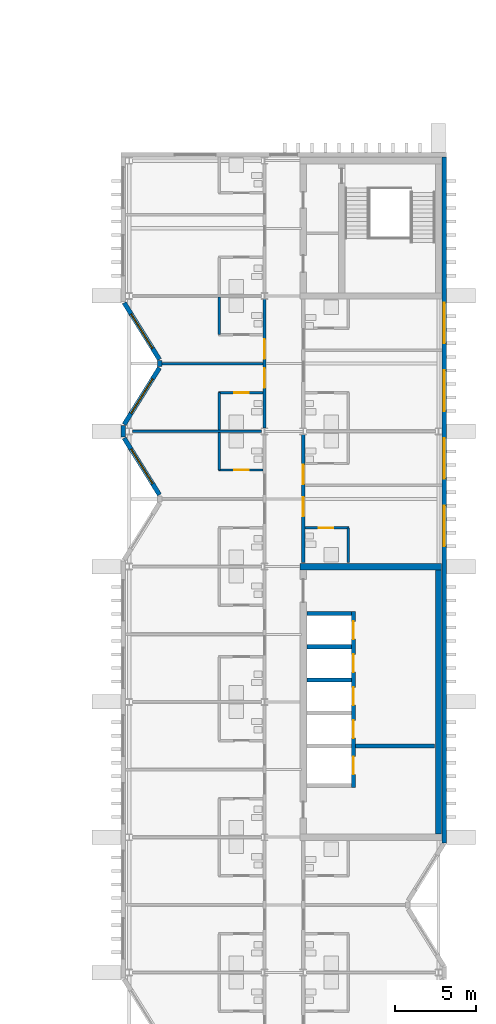
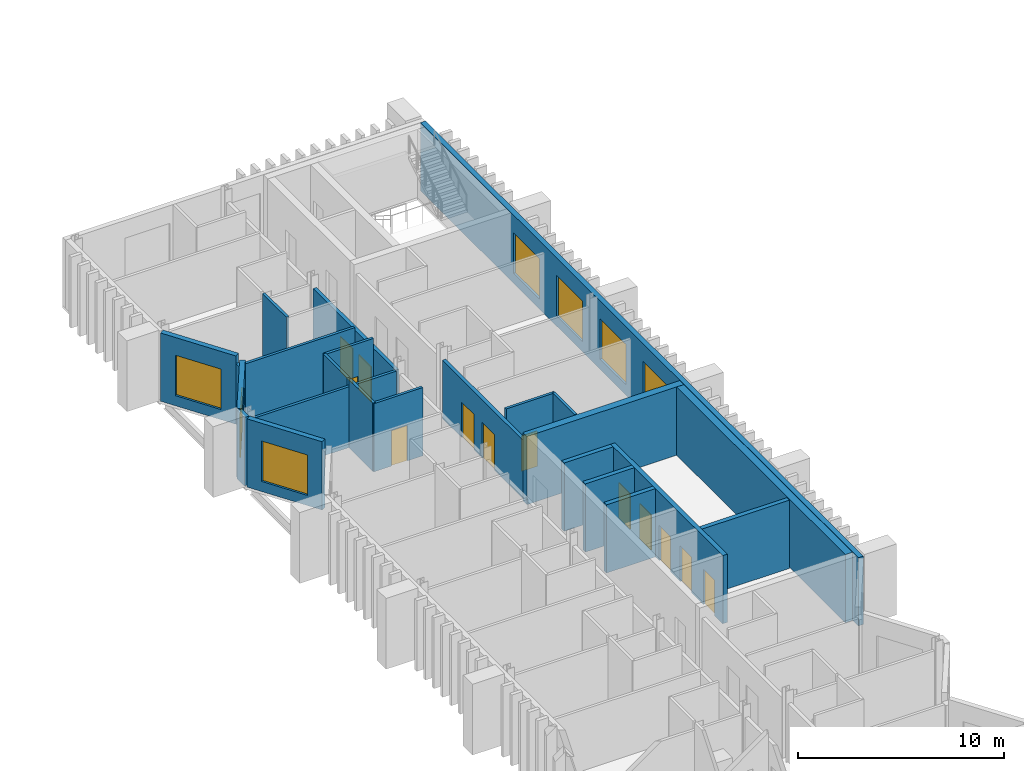
# One storey, part 12 of 17: 24 walls, 12 doors, 7 windows, 19 openings.
"""IFC4 building model written with IfcOpenShell, lengths in metres."""

from ifc_helpers import new_model, si_unit, direction, frame, frame_2d, origin, place, context, subcontext, project, spatial, rectangle, extrude, material, layer, layer_set, type_object, element, fill, save


model = new_model("IFC4")

# Units and contexts
model_context = context("Model", 3, precision=1e-05, world=origin(), true_north=direction((0.0, 1.0)))
body_context = subcontext(model_context, "Body", "Model", "MODEL_VIEW")
ifc_project = project(units=[si_unit("LENGTHUNIT", "METRE"), si_unit("AREAUNIT", "SQUARE_METRE"), si_unit("VOLUMEUNIT", "CUBIC_METRE"), si_unit("PLANEANGLEUNIT", "RADIAN"), si_unit("MASSUNIT", "GRAM", prefix="KILO")], contexts=[model_context])

# Site, building, storey
site_placement = place(None, origin())
site = spatial("IfcSite", under=ifc_project, at=site_placement, CompositionType="ELEMENT")
building_placement = place(site_placement, origin())
building = spatial("IfcBuilding", under=site, at=building_placement, Name="Cresset Court Congress Hotel", CompositionType="ELEMENT")
storey_placement = place(building_placement, frame((0.0, 0.0, 31.199951171875)))
storey = spatial("IfcBuildingStorey", under=building, at=storey_placement, Name="L07", CompositionType="ELEMENT", Elevation=31.199951171875)

# Wall, openings, doors
ifc_material_1 = material(Name="Gypsum board partition")
ifc_layer_1 = layer(ifc_material_1, 0.199951171875)
ifc_layer_set_1 = layer_set([ifc_layer_1], Name="Corridor wall 200")
wall_type_1 = type_object("IfcWallType", Name="Corridor wall 200", PredefinedType="PARTITIONING", material=ifc_layer_set_1)
wall_1_placement = place(storey_placement, frame((165.60009765625, 50.60009765625, 0.0), z_axis=(0.0, 0.0, 1.0), x_axis=(0.0, 1.0, 0.0)))
wall_1 = element("IfcWall", 1, at=wall_1_placement, inside=storey, type_object=wall_type_1, Name="A.wl.L07.076", PredefinedType="PARTITIONING", context=body_context, shape_type="SweptSolid", body=[
    extrude(rectangle(XDim=8.0, YDim=0.199951171875, at=frame_2d((4.0, 0.0))), origin(), (0.0, 0.0, 1.0), 3.449951171875),
])
opening_1_placement = place(wall_1_placement, frame((2.5, 0.0, 0.0)))
opening_1 = element("IfcOpeningElement", 2, at=opening_1_placement, cuts=wall_1, Name="Opening DA-07-26", PredefinedType="OPENING", context=body_context, shape_type="SweptSolid", body=[
    extrude(rectangle(XDim=1.199951171875, YDim=2.10009765625, at=frame_2d((0.60009765625, 1.050048828125))), frame((0.0, 0.10986328125, 0.0), z_axis=(0.0, -1.0, 0.0), x_axis=(1.0, 0.0, 0.0)), (0.0, 0.0, 1.0), 0.219970703125),
])
opening_2_placement = place(wall_1_placement, frame((4.300048828125, 0.0, 0.0)))
opening_2 = element("IfcOpeningElement", 3, at=opening_2_placement, cuts=wall_1, Name="Opening DA-07-28", PredefinedType="OPENING", context=body_context, shape_type="SweptSolid", body=[
    extrude(rectangle(XDim=1.199951171875, YDim=2.10009765625, at=frame_2d((0.60009765625, 1.050048828125))), frame((0.0, 0.10986328125, 0.0), z_axis=(0.0, -1.0, 0.0), x_axis=(1.0, 0.0, 0.0)), (0.0, 0.0, 1.0), 0.219970703125),
])
ifc_material_2 = material(Name="timber", Category="wood")
door_type_1 = type_object("IfcDoorType", Name="Guest-room entry door 1200x2100 FD30S", OperationType="SINGLE_SWING_LEFT", PredefinedType="DOOR", material=ifc_material_2)
door_1_placement = place(opening_1_placement, origin())
door_1 = element("IfcDoor", 4, at=door_1_placement, inside=storey, type_object=door_type_1, Name="Door DA-07-26", OperationType="SINGLE_SWING_RIGHT", OverallHeight=2.10009765625, OverallWidth=1.199951171875, PredefinedType="DOOR", context=body_context, shape_type="SweptSolid", body=[
    extrude(rectangle(XDim=1.199951171875, YDim=2.10009765625, at=frame_2d((0.60009765625, 1.050048828125))), frame((0.0, 0.02490234375, 0.0), z_axis=(0.0, -1.0, 0.0), x_axis=(1.0, 0.0, 0.0)), (0.0, 0.0, 1.0), 0.050048828125),
])
fill(opening_1, door_1)
door_2_placement = place(opening_2_placement, origin())
door_2 = element("IfcDoor", 5, at=door_2_placement, inside=storey, type_object=door_type_1, Name="Door DA-07-28", OperationType="SINGLE_SWING_LEFT", OverallHeight=2.10009765625, OverallWidth=1.199951171875, PredefinedType="DOOR", context=body_context, shape_type="SweptSolid", body=[
    extrude(rectangle(XDim=1.199951171875, YDim=2.10009765625, at=frame_2d((0.60009765625, 1.050048828125))), frame((0.0, 0.02490234375, 0.0), z_axis=(0.0, -1.0, 0.0), x_axis=(1.0, 0.0, 0.0)), (0.0, 0.0, 1.0), 0.050048828125),
])
fill(opening_2, door_2)

wall_2_placement = place(storey_placement, frame((168.0, 42.25, 0.0), z_axis=(0.0, 0.0, 1.0), x_axis=(0.0, 1.0, 0.0)))
wall_2 = element("IfcWall", 6, at=wall_2_placement, inside=storey, type_object=wall_type_1, Name="A.wl.L07.080", PredefinedType="PARTITIONING", context=body_context, shape_type="SweptSolid", body=[
    extrude(rectangle(XDim=7.949951171875, YDim=0.199951171875, at=frame_2d((3.97509765625, 0.0))), origin(), (0.0, 0.0, 1.0), 3.449951171875),
])
opening_3_placement = place(wall_2_placement, frame((2.8701171875, 0.0, 0.0)))
opening_3 = element("IfcOpeningElement", 7, at=opening_3_placement, cuts=wall_2, Name="Opening DA-07-42", PredefinedType="OPENING", context=body_context, shape_type="SweptSolid", body=[
    extrude(rectangle(XDim=1.199951171875, YDim=2.10009765625, at=frame_2d((0.60009765625, 1.050048828125))), frame((0.0, 0.10986328125, 0.0), z_axis=(0.0, -1.0, 0.0), x_axis=(1.0, 0.0, 0.0)), (0.0, 0.0, 1.0), 0.219970703125),
])
opening_4_placement = place(wall_2_placement, frame((4.8701171875, 0.0, 0.0)))
opening_4 = element("IfcOpeningElement", 8, at=opening_4_placement, cuts=wall_2, Name="Opening DA-07-44", PredefinedType="OPENING", context=body_context, shape_type="SweptSolid", body=[
    extrude(rectangle(XDim=1.199951171875, YDim=2.10009765625, at=frame_2d((0.60009765625, 1.050048828125))), frame((0.0, 0.10986328125, 0.0), z_axis=(0.0, -1.0, 0.0), x_axis=(1.0, 0.0, 0.0)), (0.0, 0.0, 1.0), 0.219970703125),
])
door_3_placement = place(opening_3_placement, origin())
door_3 = element("IfcDoor", 9, at=door_3_placement, inside=storey, type_object=door_type_1, Name="Door DA-07-42", OperationType="SINGLE_SWING_RIGHT", OverallHeight=2.10009765625, OverallWidth=1.199951171875, PredefinedType="DOOR", context=body_context, shape_type="SweptSolid", body=[
    extrude(rectangle(XDim=1.199951171875, YDim=2.10009765625, at=frame_2d((0.60009765625, 1.050048828125))), frame((0.0, 0.02490234375, 0.0), z_axis=(0.0, -1.0, 0.0), x_axis=(1.0, 0.0, 0.0)), (0.0, 0.0, 1.0), 0.050048828125),
])
fill(opening_3, door_3)
door_4_placement = place(opening_4_placement, origin())
door_4 = element("IfcDoor", 10, at=door_4_placement, inside=storey, type_object=door_type_1, Name="Door DA-07-44", OperationType="SINGLE_SWING_LEFT", OverallHeight=2.10009765625, OverallWidth=1.199951171875, PredefinedType="DOOR", context=body_context, shape_type="SweptSolid", body=[
    extrude(rectangle(XDim=1.199951171875, YDim=2.10009765625, at=frame_2d((0.60009765625, 1.050048828125))), frame((0.0, 0.02490234375, 0.0), z_axis=(0.0, -1.0, 0.0), x_axis=(1.0, 0.0, 0.0)), (0.0, 0.0, 1.0), 0.050048828125),
])
fill(opening_4, door_4)

# Wall
ifc_material_3 = material(Name="Gypsum board partition")
ifc_layer_2 = layer(ifc_material_3, 0.14990234375)
ifc_layer_set_2 = layer_set([ifc_layer_2], Name="En-suite wall 150")
wall_type_2 = type_object("IfcWallType", Name="En-suite wall 150", PredefinedType="PARTITIONING", material=ifc_layer_set_2)
wall_3_placement = place(storey_placement, frame((162.800048828125, 48.0, 0.0), z_axis=(0.0, 0.0, 1.0), x_axis=(0.0, 1.0, 0.0)))
element("IfcWall", 11, at=wall_3_placement, inside=storey, type_object=wall_type_2, Name="A.wl.L07.023", PredefinedType="PARTITIONING", context=body_context, shape_type="SweptSolid", body=[
    extrude(rectangle(XDim=2.324951171875, YDim=0.14990234375, at=frame_2d((1.16259765625, 0.0))), origin(), (0.0, 0.0, 1.0), 4.050048828125),
])

# Wall, opening, door
wall_4_placement = place(storey_placement, frame((162.75, 48.0, 0.0), z_axis=(0.0, 0.0, 1.0), x_axis=(1.0, 0.0, 0.0)))
wall_4 = element("IfcWall", 12, at=wall_4_placement, inside=storey, type_object=wall_type_2, Name="A.wl.L07.024", PredefinedType="PARTITIONING", context=body_context, shape_type="SweptSolid", body=[
    extrude(rectangle(XDim=2.75, YDim=0.14990234375, at=frame_2d((1.375, 0.0))), origin(), (0.0, 0.0, 1.0), 4.050048828125),
])
opening_5_placement = place(wall_4_placement, frame((0.97998046875, 0.0, 0.0)))
opening_5 = element("IfcOpeningElement", 13, at=opening_5_placement, cuts=wall_4, Name="Opening DA-07-23", PredefinedType="OPENING", context=body_context, shape_type="SweptSolid", body=[
    extrude(rectangle(XDim=0.89990234375, YDim=2.10009765625, at=frame_2d((0.449951171875, 1.050048828125))), frame((0.0, 0.0849609375, 0.0), z_axis=(0.0, -1.0, 0.0), x_axis=(1.0, 0.0, 0.0)), (0.0, 0.0, 1.0), 0.169921875),
])
ifc_material_4 = material(Name="timber", Category="wood")
door_type_2 = type_object("IfcDoorType", Name="En-suite door 900x2100", OperationType="SINGLE_SWING_LEFT", PredefinedType="DOOR", material=ifc_material_4)
door_5_placement = place(opening_5_placement, origin())
door_5 = element("IfcDoor", 14, at=door_5_placement, inside=storey, type_object=door_type_2, Name="Door DA-07-23", OperationType="SINGLE_SWING_LEFT", OverallHeight=2.10009765625, OverallWidth=0.89990234375, PredefinedType="DOOR", context=body_context, shape_type="SweptSolid", body=[
    extrude(rectangle(XDim=0.89990234375, YDim=2.10009765625, at=frame_2d((0.449951171875, 1.050048828125))), frame((0.0, 0.02490234375, 0.0), z_axis=(0.0, -1.0, 0.0), x_axis=(1.0, 0.0, 0.0)), (0.0, 0.0, 1.0), 0.050048828125),
])
fill(opening_5, door_5)

# Wall
wall_5_placement = place(storey_placement, frame((162.800048828125, 50.47509765625, 0.0), z_axis=(0.0, 0.0, 1.0), x_axis=(0.0, 1.0, 0.0)))
element("IfcWall", 15, at=wall_5_placement, inside=storey, type_object=wall_type_2, Name="A.wl.L07.025", PredefinedType="PARTITIONING", context=body_context, shape_type="SweptSolid", body=[
    extrude(rectangle(XDim=2.324951171875, YDim=0.14990234375, at=frame_2d((1.16259765625, 0.0))), origin(), (0.0, 0.0, 1.0), 4.050048828125),
])

# Wall, opening, door
wall_6_placement = place(storey_placement, frame((162.75, 52.800048828125, 0.0), z_axis=(0.0, 0.0, 1.0), x_axis=(1.0, 0.0, 0.0)))
wall_6 = element("IfcWall", 16, at=wall_6_placement, inside=storey, type_object=wall_type_2, Name="A.wl.L07.026", PredefinedType="PARTITIONING", context=body_context, shape_type="SweptSolid", body=[
    extrude(rectangle(XDim=2.75, YDim=0.14990234375, at=frame_2d((1.375, 0.0))), origin(), (0.0, 0.0, 1.0), 4.050048828125),
])
opening_6_placement = place(wall_6_placement, frame((0.97998046875, 0.0, 0.0)))
opening_6 = element("IfcOpeningElement", 17, at=opening_6_placement, cuts=wall_6, Name="Opening DA-07-25", PredefinedType="OPENING", context=body_context, shape_type="SweptSolid", body=[
    extrude(rectangle(XDim=0.89990234375, YDim=2.10009765625, at=frame_2d((0.449951171875, 1.050048828125))), frame((0.0, 0.0849609375, 0.0), z_axis=(0.0, -1.0, 0.0), x_axis=(1.0, 0.0, 0.0)), (0.0, 0.0, 1.0), 0.169921875),
])
door_6_placement = place(opening_6_placement, origin())
door_6 = element("IfcDoor", 18, at=door_6_placement, inside=storey, type_object=door_type_2, Name="Door DA-07-25", OperationType="SINGLE_SWING_RIGHT", OverallHeight=2.10009765625, OverallWidth=0.89990234375, PredefinedType="DOOR", context=body_context, shape_type="SweptSolid", body=[
    extrude(rectangle(XDim=0.89990234375, YDim=2.10009765625, at=frame_2d((0.449951171875, 1.050048828125))), frame((0.0, 0.02490234375, 0.0), z_axis=(0.0, -1.0, 0.0), x_axis=(1.0, 0.0, 0.0)), (0.0, 0.0, 1.0), 0.050048828125),
])
fill(opening_6, door_6)

# Walls
wall_7_placement = place(storey_placement, frame((162.800048828125, 56.39990234375, 0.0), z_axis=(0.0, 0.0, 1.0), x_axis=(0.0, 1.0, 0.0)))
element("IfcWall", 19, at=wall_7_placement, inside=storey, type_object=wall_type_2, Name="A.wl.L07.027", PredefinedType="PARTITIONING", context=body_context, shape_type="SweptSolid", body=[
    extrude(rectangle(XDim=2.3251953125, YDim=0.14990234375, at=frame_2d((1.16259765625, 0.0))), origin(), (0.0, 0.0, 1.0), 4.050048828125),
])
wall_8_placement = place(storey_placement, frame((170.800048828125, 42.25, 0.0), z_axis=(0.0, 0.0, 1.0), x_axis=(0.0, 1.0, 0.0)))
element("IfcWall", 20, at=wall_8_placement, inside=storey, type_object=wall_type_2, Name="A.wl.L07.041", PredefinedType="PARTITIONING", context=body_context, shape_type="SweptSolid", body=[
    extrude(rectangle(XDim=2.14990234375, YDim=0.14990234375, at=frame_2d((1.074951171875, 0.0))), origin(), (0.0, 0.0, 1.0), 4.050048828125),
])

# Wall, opening, door
wall_9_placement = place(storey_placement, frame((170.85009765625, 44.39990234375, 0.0), z_axis=(0.0, 0.0, 1.0), x_axis=(-1.0, 0.0, 0.0)))
wall_9 = element("IfcWall", 21, at=wall_9_placement, inside=storey, type_object=wall_type_2, Name="A.wl.L07.042", PredefinedType="PARTITIONING", context=body_context, shape_type="SweptSolid", body=[
    extrude(rectangle(XDim=2.75, YDim=0.14990234375, at=frame_2d((1.375, 0.0))), origin(), (0.0, 0.0, 1.0), 4.050048828125),
])
opening_7_placement = place(wall_9_placement, frame((0.97998046875, 0.0, 0.0)))
opening_7 = element("IfcOpeningElement", 22, at=opening_7_placement, cuts=wall_9, Name="Opening DA-07-41", PredefinedType="OPENING", context=body_context, shape_type="SweptSolid", body=[
    extrude(rectangle(XDim=0.89990234375, YDim=2.10009765625, at=frame_2d((0.449951171875, 1.050048828125))), frame((0.0, 0.0849609375, 0.0), z_axis=(0.0, -1.0, 0.0), x_axis=(1.0, 0.0, 0.0)), (0.0, 0.0, 1.0), 0.169921875),
])
door_7_placement = place(opening_7_placement, origin())
door_7 = element("IfcDoor", 23, at=door_7_placement, inside=storey, type_object=door_type_2, Name="Door DA-07-41", OperationType="SINGLE_SWING_RIGHT", OverallHeight=2.10009765625, OverallWidth=0.89990234375, PredefinedType="DOOR", context=body_context, shape_type="SweptSolid", body=[
    extrude(rectangle(XDim=0.89990234375, YDim=2.10009765625, at=frame_2d((0.449951171875, 1.050048828125))), frame((0.0, 0.02490234375, 0.0), z_axis=(0.0, -1.0, 0.0), x_axis=(1.0, 0.0, 0.0)), (0.0, 0.0, 1.0), 0.050048828125),
])
fill(opening_7, door_7)

# Wall, opening, window
ifc_material_5 = material(Name="Precast concrete C50", Category="concrete")
ifc_layer_3 = layer(ifc_material_5, 0.280029296875)
ifc_layer_set_3 = layer_set([ifc_layer_3], Name="External wall 280")
wall_type_3 = type_object("IfcWallType", Name="External wall 280", PredefinedType="SOLIDWALL", material=ifc_layer_set_3)
wall_10_placement = place(storey_placement, frame((159.07861328125, 46.458984375, 0.0), z_axis=(0.0, 0.0, 1.0), x_axis=(-0.529018946142, 0.848610013271, 0.0)))
wall_10 = element("IfcWall", 24, at=wall_10_placement, inside=storey, type_object=wall_type_3, Name="A.ew.L07.Wn.5.1", PredefinedType="SOLIDWALL", context=body_context, shape_type="SweptSolid", body=[
    extrude(rectangle(XDim=4.144287109375, YDim=0.280029296875, at=frame_2d((2.072265625, 0.0))), origin(), (0.0, 0.0, 1.0), 4.050048828125),
])
opening_8_placement = place(wall_10_placement, frame((0.812255859375, 0.0, 0.60009765625)))
opening_8 = element("IfcOpeningElement", 25, at=opening_8_placement, cuts=wall_10, Name="Opening NA-07-12", PredefinedType="OPENING", context=body_context, shape_type="SweptSolid", body=[
    extrude(rectangle(XDim=2.52001953125, YDim=2.39990234375, at=frame_2d((1.260009765625, 1.199951171875))), frame((0.0, 0.14990234375, 0.0), z_axis=(0.0, -1.0, 0.0), x_axis=(1.0, 0.0, 0.0)), (0.0, 0.0, 1.0), 0.300048828125),
])
ifc_material_6 = material(Name="Aluminium and glass", Category="aluminium")
window_type = type_object("IfcWindowType", Name="Window 2520x2400", PartitioningType="SINGLE_PANEL", PredefinedType="WINDOW", material=ifc_material_6)
window_1_placement = place(opening_8_placement, origin())
window_1 = element("IfcWindow", 26, at=window_1_placement, inside=storey, type_object=window_type, Name="Window NA-07-12", OverallHeight=2.39990234375, OverallWidth=2.52001953125, PartitioningType="SINGLE_PANEL", PredefinedType="WINDOW", context=body_context, shape_type="SweptSolid", body=[
    extrude(rectangle(XDim=2.52001953125, YDim=2.39990234375, at=frame_2d((1.260009765625, 1.199951171875))), frame((0.0, 0.030029296875, 0.0), z_axis=(0.0, -1.0, 0.0), x_axis=(1.0, 0.0, 0.0)), (0.0, 0.0, 1.0), 0.06005859375),
])
fill(opening_8, window_1)

# Wall
wall_11_placement = place(storey_placement, frame((156.840087890625, 50.050048828125, 0.0), z_axis=(0.0, 0.0, 1.0), x_axis=(0.0, 1.0, 0.0)))
element("IfcWall", 27, at=wall_11_placement, inside=storey, type_object=wall_type_3, Name="A.ew.L07.W.4", PredefinedType="SOLIDWALL", context=body_context, shape_type="SweptSolid", body=[
    extrude(rectangle(XDim=0.699951171875, YDim=0.280029296875, at=frame_2d((0.35009765625, 0.0))), origin(), (0.0, 0.0, 1.0), 4.050048828125),
])

# Wall, opening, window
wall_12_placement = place(storey_placement, frame((156.88623046875, 50.82421875, 0.0), z_axis=(0.0, 0.0, 1.0), x_axis=(0.529018946142, 0.848610013271, 0.0)))
wall_12 = element("IfcWall", 28, at=wall_12_placement, inside=storey, type_object=wall_type_3, Name="A.ew.L07.Wn.6.0", PredefinedType="SOLIDWALL", context=body_context, shape_type="SweptSolid", body=[
    extrude(rectangle(XDim=4.144287109375, YDim=0.280029296875, at=frame_2d((2.072265625, 0.0))), origin(), (0.0, 0.0, 1.0), 4.050048828125),
])
opening_9_placement = place(wall_12_placement, frame((0.812255859375, 0.0, 0.60009765625)))
opening_9 = element("IfcOpeningElement", 29, at=opening_9_placement, cuts=wall_12, Name="Opening NA-07-13", PredefinedType="OPENING", context=body_context, shape_type="SweptSolid", body=[
    extrude(rectangle(XDim=2.52001953125, YDim=2.39990234375, at=frame_2d((1.260009765625, 1.199951171875))), frame((0.0, 0.14990234375, 0.0), z_axis=(0.0, -1.0, 0.0), x_axis=(1.0, 0.0, 0.0)), (0.0, 0.0, 1.0), 0.300048828125),
])
window_2_placement = place(opening_9_placement, origin())
window_2 = element("IfcWindow", 30, at=window_2_placement, inside=storey, type_object=window_type, Name="Window NA-07-13", OverallHeight=2.39990234375, OverallWidth=2.52001953125, PartitioningType="SINGLE_PANEL", PredefinedType="WINDOW", context=body_context, shape_type="SweptSolid", body=[
    extrude(rectangle(XDim=2.52001953125, YDim=2.39990234375, at=frame_2d((1.260009765625, 1.199951171875))), frame((0.0, 0.030029296875, 0.0), z_axis=(0.0, -1.0, 0.0), x_axis=(1.0, 0.0, 0.0)), (0.0, 0.0, 1.0), 0.06005859375),
])
fill(opening_9, window_2)

wall_13_placement = place(storey_placement, frame((159.07861328125, 54.85888671875, 0.0), z_axis=(0.0, 0.0, 1.0), x_axis=(-0.528992500338, 0.848626498871, 0.0)))
wall_13 = element("IfcWall", 31, at=wall_13_placement, inside=storey, type_object=wall_type_3, Name="A.ew.L07.Wn.6.1", PredefinedType="SOLIDWALL", context=body_context, shape_type="SweptSolid", body=[
    extrude(rectangle(XDim=4.14453125, YDim=0.280029296875, at=frame_2d((2.072265625, 0.0))), origin(), (0.0, 0.0, 1.0), 4.050048828125),
])
opening_10_placement = place(wall_13_placement, frame((0.812255859375, 0.0, 0.60009765625)))
opening_10 = element("IfcOpeningElement", 32, at=opening_10_placement, cuts=wall_13, Name="Opening NA-07-14", PredefinedType="OPENING", context=body_context, shape_type="SweptSolid", body=[
    extrude(rectangle(XDim=2.52001953125, YDim=2.39990234375, at=frame_2d((1.260009765625, 1.199951171875))), frame((0.0, 0.14990234375, 0.0), z_axis=(0.0, -1.0, 0.0), x_axis=(1.0, 0.0, 0.0)), (0.0, 0.0, 1.0), 0.300048828125),
])
window_3_placement = place(opening_10_placement, origin())
window_3 = element("IfcWindow", 33, at=window_3_placement, inside=storey, type_object=window_type, Name="Window NA-07-14", OverallHeight=2.39990234375, OverallWidth=2.52001953125, PartitioningType="SINGLE_PANEL", PredefinedType="WINDOW", context=body_context, shape_type="SweptSolid", body=[
    extrude(rectangle(XDim=2.52001953125, YDim=2.39990234375, at=frame_2d((1.260009765625, 1.199951171875))), frame((0.0, 0.030029296875, 0.0), z_axis=(0.0, -1.0, 0.0), x_axis=(1.0, 0.0, 0.0)), (0.0, 0.0, 1.0), 0.06005859375),
])
fill(opening_10, window_3)

# Wall
wall_14_placement = place(storey_placement, frame((159.099609375, 54.4150390625, 0.0), z_axis=(0.0, 0.0, 1.0), x_axis=(0.0, 1.0, 0.0)))
element("IfcWall", 34, at=wall_14_placement, inside=storey, type_object=wall_type_3, Name="A.ew.L07.Wn.6.2", PredefinedType="SOLIDWALL", context=body_context, shape_type="SweptSolid", body=[
    extrude(rectangle(XDim=0.369873046875, YDim=0.280029296875, at=frame_2d((0.18505859375, 0.0))), origin(), (0.0, 0.0, 1.0), 3.60400390625),
])

# Wall, openings, windows
wall_15_placement = place(storey_placement, frame((176.760009765625, 24.85009765625, 0.0), z_axis=(0.0, 0.0, 1.0), x_axis=(0.0, 1.0, 0.0)))
wall_15 = element("IfcWall", 35, at=wall_15_placement, inside=storey, type_object=wall_type_3, Name="A.ew.L07.E.3", PredefinedType="SOLIDWALL", context=body_context, shape_type="SweptSolid", body=[
    extrude(rectangle(XDim=42.56982421875, YDim=0.280029296875, at=frame_2d((21.284912109375, 0.0))), origin(), (0.0, 0.0, 1.0), 4.050048828125),
])
opening_11_placement = place(wall_15_placement, frame((18.409912109375, 0.0, 0.60009765625)))
opening_11 = element("IfcOpeningElement", 36, at=opening_11_placement, cuts=wall_15, Name="Opening NA-07-21", PredefinedType="OPENING", context=body_context, shape_type="SweptSolid", body=[
    extrude(rectangle(XDim=2.52001953125, YDim=2.39990234375, at=frame_2d((1.260009765625, 1.199951171875))), frame((0.0, 0.14990234375, 0.0), z_axis=(0.0, -1.0, 0.0), x_axis=(1.0, 0.0, 0.0)), (0.0, 0.0, 1.0), 0.300048828125),
])
opening_12_placement = place(wall_15_placement, frame((22.610107421875, 0.0, 0.60009765625)))
opening_12 = element("IfcOpeningElement", 37, at=opening_12_placement, cuts=wall_15, Name="Opening NA-07-22", PredefinedType="OPENING", context=body_context, shape_type="SweptSolid", body=[
    extrude(rectangle(XDim=2.52001953125, YDim=2.39990234375, at=frame_2d((1.260009765625, 1.199951171875))), frame((0.0, 0.14990234375, 0.0), z_axis=(0.0, -1.0, 0.0), x_axis=(1.0, 0.0, 0.0)), (0.0, 0.0, 1.0), 0.300048828125),
])
opening_13_placement = place(wall_15_placement, frame((26.81005859375, 0.0, 0.60009765625)))
opening_13 = element("IfcOpeningElement", 38, at=opening_13_placement, cuts=wall_15, Name="Opening NA-07-23", PredefinedType="OPENING", context=body_context, shape_type="SweptSolid", body=[
    extrude(rectangle(XDim=2.52001953125, YDim=2.39990234375, at=frame_2d((1.260009765625, 1.199951171875))), frame((0.0, 0.14990234375, 0.0), z_axis=(0.0, -1.0, 0.0), x_axis=(1.0, 0.0, 0.0)), (0.0, 0.0, 1.0), 0.300048828125),
])
opening_14_placement = place(wall_15_placement, frame((31.010009765625, 0.0, 0.60009765625)))
opening_14 = element("IfcOpeningElement", 39, at=opening_14_placement, cuts=wall_15, Name="Opening NA-07-24", PredefinedType="OPENING", context=body_context, shape_type="SweptSolid", body=[
    extrude(rectangle(XDim=2.52001953125, YDim=2.39990234375, at=frame_2d((1.260009765625, 1.199951171875))), frame((0.0, 0.14990234375, 0.0), z_axis=(0.0, -1.0, 0.0), x_axis=(1.0, 0.0, 0.0)), (0.0, 0.0, 1.0), 0.300048828125),
])
window_4_placement = place(opening_11_placement, origin())
window_4 = element("IfcWindow", 40, at=window_4_placement, inside=storey, type_object=window_type, Name="Window NA-07-21", OverallHeight=2.39990234375, OverallWidth=2.52001953125, PartitioningType="SINGLE_PANEL", PredefinedType="WINDOW", context=body_context, shape_type="SweptSolid", body=[
    extrude(rectangle(XDim=2.52001953125, YDim=2.39990234375, at=frame_2d((1.260009765625, 1.199951171875))), frame((0.0, 0.030029296875, 0.0), z_axis=(0.0, -1.0, 0.0), x_axis=(1.0, 0.0, 0.0)), (0.0, 0.0, 1.0), 0.06005859375),
])
fill(opening_11, window_4)
window_5_placement = place(opening_12_placement, origin())
window_5 = element("IfcWindow", 41, at=window_5_placement, inside=storey, type_object=window_type, Name="Window NA-07-22", OverallHeight=2.39990234375, OverallWidth=2.52001953125, PartitioningType="SINGLE_PANEL", PredefinedType="WINDOW", context=body_context, shape_type="SweptSolid", body=[
    extrude(rectangle(XDim=2.52001953125, YDim=2.39990234375, at=frame_2d((1.260009765625, 1.199951171875))), frame((0.0, 0.030029296875, 0.0), z_axis=(0.0, -1.0, 0.0), x_axis=(1.0, 0.0, 0.0)), (0.0, 0.0, 1.0), 0.06005859375),
])
fill(opening_12, window_5)
window_6_placement = place(opening_13_placement, origin())
window_6 = element("IfcWindow", 42, at=window_6_placement, inside=storey, type_object=window_type, Name="Window NA-07-23", OverallHeight=2.39990234375, OverallWidth=2.52001953125, PartitioningType="SINGLE_PANEL", PredefinedType="WINDOW", context=body_context, shape_type="SweptSolid", body=[
    extrude(rectangle(XDim=2.52001953125, YDim=2.39990234375, at=frame_2d((1.260009765625, 1.199951171875))), frame((0.0, 0.030029296875, 0.0), z_axis=(0.0, -1.0, 0.0), x_axis=(1.0, 0.0, 0.0)), (0.0, 0.0, 1.0), 0.06005859375),
])
fill(opening_13, window_6)
window_7_placement = place(opening_14_placement, origin())
window_7 = element("IfcWindow", 43, at=window_7_placement, inside=storey, type_object=window_type, Name="Window NA-07-24", OverallHeight=2.39990234375, OverallWidth=2.52001953125, PartitioningType="SINGLE_PANEL", PredefinedType="WINDOW", context=body_context, shape_type="SweptSolid", body=[
    extrude(rectangle(XDim=2.52001953125, YDim=2.39990234375, at=frame_2d((1.260009765625, 1.199951171875))), frame((0.0, 0.030029296875, 0.0), z_axis=(0.0, -1.0, 0.0), x_axis=(1.0, 0.0, 0.0)), (0.0, 0.0, 1.0), 0.06005859375),
])
fill(opening_14, window_7)

# Walls
ifc_material_7 = material(Name="Gypsum board partition")
ifc_layer_4 = layer(ifc_material_7, 0.14990234375)
ifc_layer_set_4 = layer_set([ifc_layer_4], Name="Guest-room partition 150")
wall_type_4 = type_object("IfcWallType", Name="Guest-room partition 150", PredefinedType="PARTITIONING", material=ifc_layer_set_4)
wall_16_placement = place(storey_placement, frame((157.39990234375, 50.39990234375, 0.0), z_axis=(0.0, 0.0, 1.0), x_axis=(1.0, 0.0, 0.0)))
element("IfcWall", 44, at=wall_16_placement, inside=storey, type_object=wall_type_4, Name="A.wl.L07.054", PredefinedType="PARTITIONING", context=body_context, shape_type="SweptSolid", body=[
    extrude(rectangle(XDim=8.0, YDim=0.14990234375, at=frame_2d((4.0, 0.0))), origin(), (0.0, 0.0, 1.0), 3.60400390625),
])
wall_17_placement = place(storey_placement, frame((159.23974609375, 54.60009765625, 0.0), z_axis=(0.0, 0.0, 1.0), x_axis=(1.0, 0.0, 0.0)))
element("IfcWall", 45, at=wall_17_placement, inside=storey, type_object=wall_type_4, Name="A.wl.L07.064", PredefinedType="PARTITIONING", context=body_context, shape_type="SweptSolid", body=[
    extrude(rectangle(XDim=6.26025390625, YDim=0.14990234375, at=frame_2d((3.130126953125, 0.0))), origin(), (0.0, 0.0, 1.0), 3.60400390625),
])
ifc_material_8 = material(Name="Concrete C50", Category="concrete")
ifc_layer_5 = layer(ifc_material_8, 0.39990234375)
ifc_layer_set_5 = layer_set([ifc_layer_5], Name="Lift core wall 400")
wall_type_5 = type_object("IfcWallType", Name="Lift core wall 400", PredefinedType="SOLIDWALL", material=ifc_layer_set_5)
wall_18_placement = place(storey_placement, frame((167.800048828125, 42.0, 0.0), z_axis=(0.0, 0.0, 1.0), x_axis=(1.0, 0.0, 0.0)))
element("IfcWall", 46, at=wall_18_placement, inside=storey, type_object=wall_type_5, Name="A.cw.LC-A.L07.N", PredefinedType="SOLIDWALL", context=body_context, shape_type="SweptSolid", body=[
    extrude(rectangle(XDim=8.800048828125, YDim=0.39990234375, at=frame_2d((4.39990234375, 0.0))), origin(), (0.0, 0.0, 1.0), 4.050048828125),
])
wall_19_placement = place(storey_placement, frame((176.39990234375, 25.39990234375, 0.0), z_axis=(0.0, 0.0, 1.0), x_axis=(0.0, 1.0, 0.0)))
element("IfcWall", 47, at=wall_19_placement, inside=storey, type_object=wall_type_5, Name="A.cw.LC-A.L07.E", PredefinedType="SOLIDWALL", context=body_context, shape_type="SweptSolid", body=[
    extrude(rectangle(XDim=16.400146484375, YDim=0.39990234375, at=frame_2d((8.2001953125, 0.0))), origin(), (0.0, 0.0, 1.0), 4.050048828125),
])

# Wall, openings, doors
ifc_material_9 = material(Name="Concrete C50", Category="concrete")
ifc_layer_6 = layer(ifc_material_9, 0.25)
ifc_layer_set_6 = layer_set([ifc_layer_6], Name="Lift shaft wall 250")
wall_type_6 = type_object("IfcWallType", Name="Lift shaft wall 250", PredefinedType="SOLIDWALL", material=ifc_layer_set_6)
wall_20_placement = place(storey_placement, frame((171.125, 28.300048828125, 0.0), z_axis=(0.0, 0.0, 1.0), x_axis=(0.0, 1.0, 0.0)))
wall_20 = element("IfcWall", 48, at=wall_20_placement, inside=storey, type_object=wall_type_6, Name="A.wl.L07.086", PredefinedType="SOLIDWALL", context=body_context, shape_type="SweptSolid", body=[
    extrude(rectangle(XDim=10.89990234375, YDim=0.25, at=frame_2d((5.449951171875, 0.0))), origin(), (0.0, 0.0, 1.0), 4.050048828125),
])
opening_15_placement = place(wall_20_placement, frame((0.800048828125, 0.0, 0.0)))
opening_15 = element("IfcOpeningElement", 49, at=opening_15_placement, cuts=wall_20, Name="Opening LD-A1-07", PredefinedType="OPENING", context=body_context, shape_type="SweptSolid", body=[
    extrude(rectangle(XDim=1.10009765625, YDim=2.10009765625, at=frame_2d((0.550048828125, 1.050048828125))), frame((0.0, 0.135009765625, 0.0), z_axis=(0.0, -1.0, 0.0), x_axis=(1.0, 0.0, 0.0)), (0.0, 0.0, 1.0), 0.27001953125),
])
opening_16_placement = place(wall_20_placement, frame((3.050048828125, 0.0, 0.0)))
opening_16 = element("IfcOpeningElement", 50, at=opening_16_placement, cuts=wall_20, Name="Opening LD-A2-07", PredefinedType="OPENING", context=body_context, shape_type="SweptSolid", body=[
    extrude(rectangle(XDim=1.10009765625, YDim=2.10009765625, at=frame_2d((0.550048828125, 1.050048828125))), frame((0.0, 0.135009765625, 0.0), z_axis=(0.0, -1.0, 0.0), x_axis=(1.0, 0.0, 0.0)), (0.0, 0.0, 1.0), 0.27001953125),
])
opening_17_placement = place(wall_20_placement, frame((5.10009765625, 0.0, 0.0)))
opening_17 = element("IfcOpeningElement", 51, at=opening_17_placement, cuts=wall_20, Name="Opening LD-A3-07", PredefinedType="OPENING", context=body_context, shape_type="SweptSolid", body=[
    extrude(rectangle(XDim=1.10009765625, YDim=2.10009765625, at=frame_2d((0.550048828125, 1.050048828125))), frame((0.0, 0.135009765625, 0.0), z_axis=(0.0, -1.0, 0.0), x_axis=(1.0, 0.0, 0.0)), (0.0, 0.0, 1.0), 0.27001953125),
])
opening_18_placement = place(wall_20_placement, frame((7.14990234375, 0.0, 0.0)))
opening_18 = element("IfcOpeningElement", 52, at=opening_18_placement, cuts=wall_20, Name="Opening LD-A4-07", PredefinedType="OPENING", context=body_context, shape_type="SweptSolid", body=[
    extrude(rectangle(XDim=1.10009765625, YDim=2.10009765625, at=frame_2d((0.550048828125, 1.050048828125))), frame((0.0, 0.135009765625, 0.0), z_axis=(0.0, -1.0, 0.0), x_axis=(1.0, 0.0, 0.0)), (0.0, 0.0, 1.0), 0.27001953125),
])
opening_19_placement = place(wall_20_placement, frame((9.199951171875, 0.0, 0.0)))
opening_19 = element("IfcOpeningElement", 53, at=opening_19_placement, cuts=wall_20, Name="Opening LD-A5-07", PredefinedType="OPENING", context=body_context, shape_type="SweptSolid", body=[
    extrude(rectangle(XDim=1.10009765625, YDim=2.10009765625, at=frame_2d((0.550048828125, 1.050048828125))), frame((0.0, 0.135009765625, 0.0), z_axis=(0.0, -1.0, 0.0), x_axis=(1.0, 0.0, 0.0)), (0.0, 0.0, 1.0), 0.27001953125),
])
ifc_material_10 = material(Name="stainless steel", Category="steel")
door_type_3 = type_object("IfcDoorType", Name="Lift landing door 1100x2100 E 60", OperationType="SLIDING_TO_LEFT", PredefinedType="DOOR", material=ifc_material_10)
door_8_placement = place(opening_15_placement, origin())
door_8 = element("IfcDoor", 54, at=door_8_placement, inside=storey, type_object=door_type_3, Name="Lift landing door LD-A1-07", OperationType="SLIDING_TO_LEFT", OverallHeight=2.10009765625, OverallWidth=1.10009765625, PredefinedType="DOOR", context=body_context, shape_type="SweptSolid", body=[
    extrude(rectangle(XDim=1.10009765625, YDim=2.10009765625, at=frame_2d((0.550048828125, 1.050048828125))), frame((0.0, 0.02490234375, 0.0), z_axis=(0.0, -1.0, 0.0), x_axis=(1.0, 0.0, 0.0)), (0.0, 0.0, 1.0), 0.050048828125),
])
fill(opening_15, door_8)
door_9_placement = place(opening_16_placement, origin())
door_9 = element("IfcDoor", 55, at=door_9_placement, inside=storey, type_object=door_type_3, Name="Lift landing door LD-A2-07", OperationType="SLIDING_TO_LEFT", OverallHeight=2.10009765625, OverallWidth=1.10009765625, PredefinedType="DOOR", context=body_context, shape_type="SweptSolid", body=[
    extrude(rectangle(XDim=1.10009765625, YDim=2.10009765625, at=frame_2d((0.550048828125, 1.050048828125))), frame((0.0, 0.02490234375, 0.0), z_axis=(0.0, -1.0, 0.0), x_axis=(1.0, 0.0, 0.0)), (0.0, 0.0, 1.0), 0.050048828125),
])
fill(opening_16, door_9)
door_10_placement = place(opening_17_placement, origin())
door_10 = element("IfcDoor", 56, at=door_10_placement, inside=storey, type_object=door_type_3, Name="Lift landing door LD-A3-07", OperationType="SLIDING_TO_LEFT", OverallHeight=2.10009765625, OverallWidth=1.10009765625, PredefinedType="DOOR", context=body_context, shape_type="SweptSolid", body=[
    extrude(rectangle(XDim=1.10009765625, YDim=2.10009765625, at=frame_2d((0.550048828125, 1.050048828125))), frame((0.0, 0.02490234375, 0.0), z_axis=(0.0, -1.0, 0.0), x_axis=(1.0, 0.0, 0.0)), (0.0, 0.0, 1.0), 0.050048828125),
])
fill(opening_17, door_10)
door_11_placement = place(opening_18_placement, origin())
door_11 = element("IfcDoor", 57, at=door_11_placement, inside=storey, type_object=door_type_3, Name="Lift landing door LD-A4-07", OperationType="SLIDING_TO_LEFT", OverallHeight=2.10009765625, OverallWidth=1.10009765625, PredefinedType="DOOR", context=body_context, shape_type="SweptSolid", body=[
    extrude(rectangle(XDim=1.10009765625, YDim=2.10009765625, at=frame_2d((0.550048828125, 1.050048828125))), frame((0.0, 0.02490234375, 0.0), z_axis=(0.0, -1.0, 0.0), x_axis=(1.0, 0.0, 0.0)), (0.0, 0.0, 1.0), 0.050048828125),
])
fill(opening_18, door_11)
door_12_placement = place(opening_19_placement, origin())
door_12 = element("IfcDoor", 58, at=door_12_placement, inside=storey, type_object=door_type_3, Name="Lift landing door LD-A5-07", OperationType="SLIDING_TO_LEFT", OverallHeight=2.10009765625, OverallWidth=1.10009765625, PredefinedType="DOOR", context=body_context, shape_type="SweptSolid", body=[
    extrude(rectangle(XDim=1.10009765625, YDim=2.10009765625, at=frame_2d((0.550048828125, 1.050048828125))), frame((0.0, 0.02490234375, 0.0), z_axis=(0.0, -1.0, 0.0), x_axis=(1.0, 0.0, 0.0)), (0.0, 0.0, 1.0), 0.050048828125),
])
fill(opening_19, door_12)

# Walls
for number, where, z_axis, x_axis, name in (
    (59, (168.25, 34.97509765625, 0.0), (0.0, 0.0, 1.0), (1.0, 0.0, 0.0), "A.wl.L07.090"),
    (60, (168.25, 37.02490234375, 0.0), (0.0, 0.0, 1.0), (1.0, 0.0, 0.0), "A.wl.L07.091"),
    (61, (168.25, 39.074951171875, 0.0), (0.0, 0.0, 1.0), (1.0, 0.0, 0.0), "A.wl.L07.092"),
):
    element("IfcWall", number, at=place(storey_placement, frame(where, z_axis=z_axis, x_axis=x_axis)), inside=storey, type_object=wall_type_6, Name=name, PredefinedType="SOLIDWALL", context=body_context, shape_type="SweptSolid", body=[
        extrude(rectangle(XDim=2.75, YDim=0.25, at=frame_2d((1.375, 0.0))), origin(), (0.0, 0.0, 1.0), 4.050048828125),
    ])
wall_21_placement = place(storey_placement, frame((171.25, 30.875, 0.0), z_axis=(0.0, 0.0, 1.0), x_axis=(1.0, 0.0, 0.0)))
element("IfcWall", 62, at=wall_21_placement, inside=storey, type_object=wall_type_6, Name="A.wl.L07.093", PredefinedType="SOLIDWALL", context=body_context, shape_type="SweptSolid", body=[
    extrude(rectangle(XDim=4.89990234375, YDim=0.25, at=frame_2d((2.449951171875, 0.0))), origin(), (0.0, 0.0, 1.0), 4.050048828125),
])

save(model, "model.ifc")
